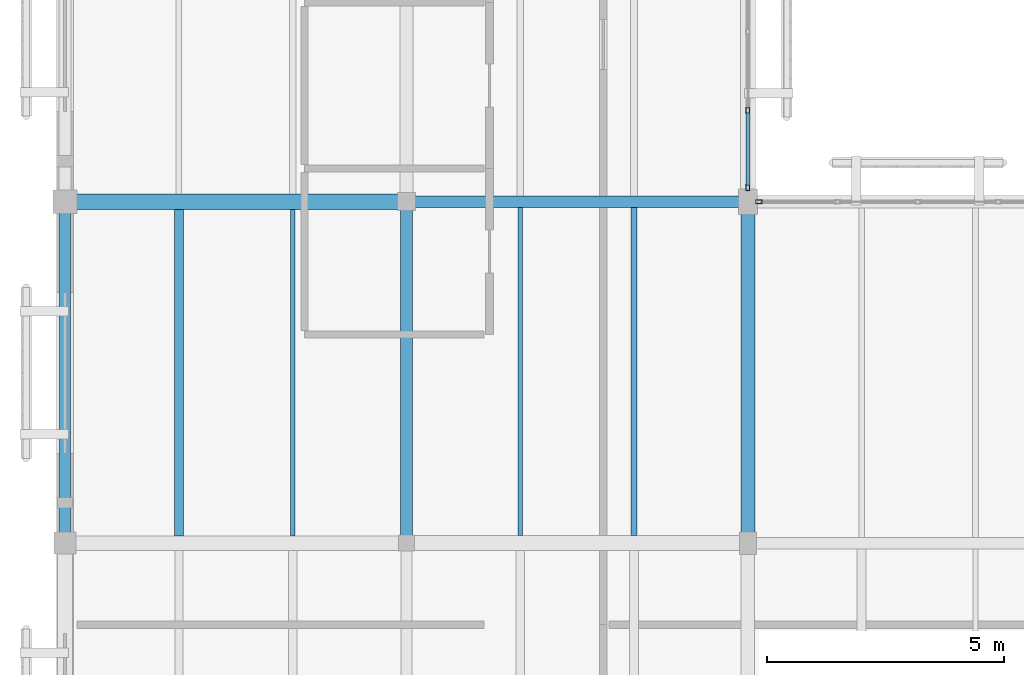
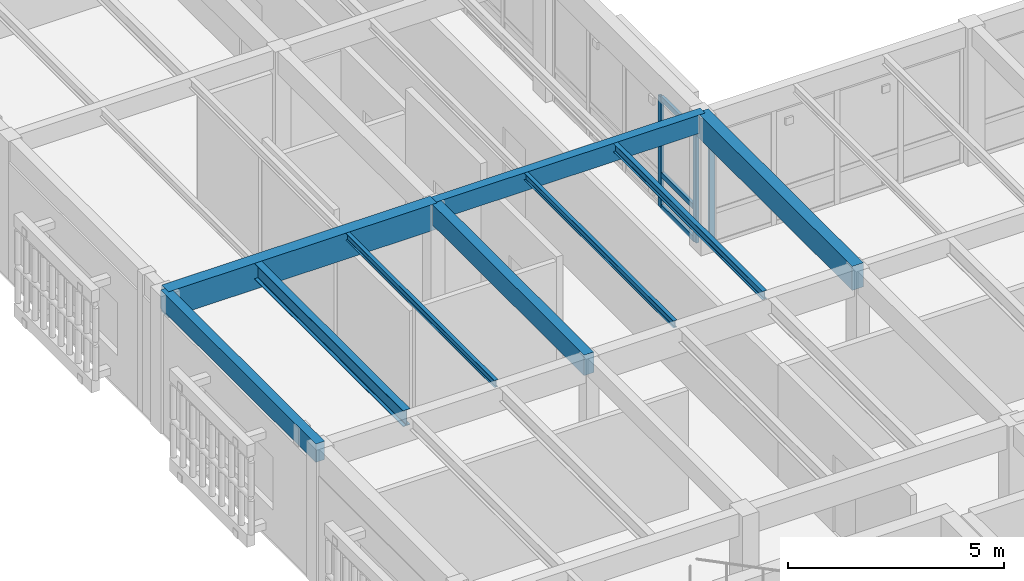
# One storey, part 24 of 217: 9 beams, 6 members, 2 elements without a shape of their own.
"""IFC4 building model written with IfcOpenShell, lengths in metres."""

from ifc_helpers import new_model, si_unit, direction, frame, origin, origin_2d, place, context, subcontext, project, spatial, rectangle, hollow_rectangle, i_section, extrude, material, layer, layer_set, material_profile, profile_set, type_object, element, aggregate, save


model = new_model("IFC4")

# Units and contexts
model_context = context("Model", 3, precision=1e-05, world=origin(), true_north=direction((0.0, 1.0)))
body_context = subcontext(model_context, "Body", "Model", "MODEL_VIEW")
ifc_project = project(units=[si_unit("LENGTHUNIT", "METRE"), si_unit("AREAUNIT", "SQUARE_METRE"), si_unit("VOLUMEUNIT", "CUBIC_METRE"), si_unit("PLANEANGLEUNIT", "RADIAN"), si_unit("MASSUNIT", "GRAM", prefix="KILO")], contexts=[model_context])

# Site, building, storey
site_placement = place(None, origin())
site = spatial("IfcSite", under=ifc_project, at=site_placement, CompositionType="ELEMENT")
building_placement = place(site_placement, origin())
building = spatial("IfcBuilding", under=site, at=building_placement, Name="Mazaris Harbour Polytechnic", CompositionType="ELEMENT")
storey_placement = place(building_placement, frame((0.0, 0.0, 9.60009765625)))
storey = spatial("IfcBuildingStorey", under=building, at=storey_placement, Name="L02", CompositionType="ELEMENT", Elevation=9.60009765625)

# Curtain wall, member
ifc_material_1 = material(Name="Anodised Bronze Aluminium and Low-E Glass", Category="aluminium")
ifc_layer = layer(ifc_material_1, 0.159912109375, Name="Anodised Bronze Aluminium and Low-E Glass")
ifc_layer_set = layer_set([ifc_layer], Name="Anodised Bronze Aluminium and Low-E Glass")
curtain_wall_type = type_object("IfcCurtainWallType", Name="Cloister Court Curtain Wall", PredefinedType="NOTDEFINED", material=ifc_layer_set)
curtain_wall_1_placement = place(storey_placement, origin())
curtain_wall_1 = element("IfcCurtainWall", 1, at=curtain_wall_1_placement, inside=storey, type_object=curtain_wall_type, Name="V4 L02 Curtain Wall 133", PredefinedType="NOTDEFINED")
ifc_material_2 = material(Name="Anodised Bronze Steel S355", Category="steel")
ifc_material_profile_1 = material_profile(ifc_material_2, hollow_rectangle(XDim=0.080078125, YDim=0.139892578125, WallThickness=0.00634765625, at=origin_2d()), Name="RHS 80x140x6.3")
ifc_profile_set_1 = profile_set([ifc_material_profile_1], Name="Anodised Bronze Steel S355")
member_type_1 = type_object("IfcMemberType", Name="Curtain Mullion RHS80x140", PredefinedType="MULLION", material=ifc_profile_set_1)
member_1_placement = place(storey_placement, frame((14.632080078125, 36.0, 0.0), z_axis=(0.0, 0.0, 1.0), x_axis=(0.0, 1.0, 0.0)))
member_1 = element("IfcMember", 2, at=member_1_placement, type_object=member_type_1, Name="CW-02 mullion 1", PredefinedType="MULLION", context=body_context, shape_type="SweptSolid", body=[
    extrude(hollow_rectangle(XDim=0.080078125, YDim=0.139892578125, WallThickness=0.00634765625, at=origin_2d()), origin(), (0.0, 0.0, 1.0), 3.2998046875),
])
aggregate(curtain_wall_1, [member_1])

# Curtain wall, members
curtain_wall_2_placement = place(storey_placement, origin())
curtain_wall_2 = element("IfcCurtainWall", 3, at=curtain_wall_2_placement, inside=storey, type_object=curtain_wall_type, Name="V4 L02 Curtain Wall 137", PredefinedType="NOTDEFINED")
member_2_placement = place(storey_placement, frame((14.39990234375, 36.302001953125, 0.0), z_axis=(0.0, 0.0, 1.0), x_axis=(-1.0, 0.0, 0.0)))
member_2 = element("IfcMember", 4, at=member_2_placement, type_object=member_type_1, Name="CW-02 mullion 1", PredefinedType="MULLION", context=body_context, shape_type="SweptSolid", body=[
    extrude(hollow_rectangle(XDim=0.080078125, YDim=0.139892578125, WallThickness=0.00634765625, at=origin_2d()), origin(), (0.0, 0.0, 1.0), 3.139892578125),
])
member_3_placement = place(storey_placement, frame((14.39990234375, 37.923583984375, 0.0), z_axis=(0.0, 0.0, 1.0), x_axis=(-1.0, 0.0, 0.0)))
member_3 = element("IfcMember", 5, at=member_3_placement, type_object=member_type_1, Name="CW-02 mullion 2", PredefinedType="MULLION", context=body_context, shape_type="SweptSolid", body=[
    extrude(hollow_rectangle(XDim=0.080078125, YDim=0.139892578125, WallThickness=0.00634765625, at=origin_2d()), origin(), (0.0, 0.0, 1.0), 3.139892578125),
])
ifc_material_3 = material(Name="Anodised Bronze Steel S355", Category="steel")
ifc_material_profile_2 = material_profile(ifc_material_3, hollow_rectangle(XDim=0.080078125, YDim=0.139892578125, WallThickness=0.00634765625, at=origin_2d()), Name="RHS 80x140x6.3")
ifc_profile_set_2 = profile_set([ifc_material_profile_2], Name="Anodised Bronze Steel S355")
member_type_2 = type_object("IfcMemberType", Name="Curtain Transom RHS80x140", PredefinedType="USERDEFINED", material=ifc_profile_set_2)
member_4_placement = place(storey_placement, frame((14.39990234375, 36.342041015625, 0.039794921875), z_axis=(0.0, 1.0, 0.0), x_axis=(-1.0, 0.0, 0.0)))
member_4 = element("IfcMember", 6, at=member_4_placement, type_object=member_type_2, Name="CW-02 transom 1.1", ObjectType="TRANSOM", PredefinedType="USERDEFINED", context=body_context, shape_type="SweptSolid", body=[
    extrude(hollow_rectangle(XDim=0.080078125, YDim=0.139892578125, WallThickness=0.00634765625, at=origin_2d()), origin(), (0.0, 0.0, 1.0), 1.54150390625),
])
member_5_placement = place(storey_placement, frame((14.39990234375, 36.342041015625, 0.949951171875), z_axis=(0.0, 1.0, 0.0), x_axis=(-1.0, 0.0, 0.0)))
member_5 = element("IfcMember", 7, at=member_5_placement, type_object=member_type_2, Name="CW-02 transom 1.2", ObjectType="TRANSOM", PredefinedType="USERDEFINED", context=body_context, shape_type="SweptSolid", body=[
    extrude(hollow_rectangle(XDim=0.080078125, YDim=0.139892578125, WallThickness=0.00634765625, at=origin_2d()), origin(), (0.0, 0.0, 1.0), 1.54150390625),
])
member_6_placement = place(storey_placement, frame((14.39990234375, 36.342041015625, 3.099853515625), z_axis=(0.0, 1.0, 0.0), x_axis=(-1.0, 0.0, 0.0)))
member_6 = element("IfcMember", 8, at=member_6_placement, type_object=member_type_2, Name="CW-02 transom 1.3", ObjectType="TRANSOM", PredefinedType="USERDEFINED", context=body_context, shape_type="SweptSolid", body=[
    extrude(hollow_rectangle(XDim=0.080078125, YDim=0.139892578125, WallThickness=0.00634765625, at=origin_2d()), origin(), (0.0, 0.0, 1.0), 1.54150390625),
])
aggregate(curtain_wall_2, [member_2, member_3, member_4, member_5, member_6])

# Beams
ifc_material_4 = material(Name="Glulam GL32h", Category="wood")
ifc_material_profile_3 = material_profile(ifc_material_4, rectangle(XDim=0.239990234375, YDim=0.52001953125, at=origin_2d()), Name="RECT240x520")
ifc_profile_set_3 = profile_set([ifc_material_profile_3], Name="Glulam GL32h")
beam_type_1 = type_object("IfcBeamType", Name="Glulam Girder 240x520", PredefinedType="BEAM", material=ifc_profile_set_3)
beam_1_placement = place(storey_placement, frame((7.199951171875, 36.0, 3.6298828125), z_axis=(1.0, 0.0, 0.0), x_axis=(0.0, 1.0, 0.0)))
element("IfcBeam", 9, at=beam_1_placement, inside=storey, type_object=beam_type_1, Name="V4 L02 Girder 1920", PredefinedType="BEAM", context=body_context, shape_type="SweptSolid", body=[
    extrude(rectangle(XDim=0.239990234375, YDim=0.52001953125, at=origin_2d()), origin(), (0.0, 0.0, 1.0), 7.199951171875),
])
ifc_material_5 = material(Name="Glulam GL32h", Category="wood")
ifc_material_profile_4 = material_profile(ifc_material_5, rectangle(XDim=0.239990234375, YDim=0.52001953125, at=origin_2d()), Name="RECT240x520")
ifc_profile_set_4 = profile_set([ifc_material_profile_4], Name="Glulam GL32h")
beam_type_2 = type_object("IfcBeamType", Name="Glulam Girder 240x520 Exterior", PredefinedType="BEAM", material=ifc_profile_set_4)
beam_2_placement = place(storey_placement, frame((0.0, 28.800048828125, 3.6298828125), z_axis=(0.0, 1.0, 0.0), x_axis=(-1.0, 0.0, 0.0)))
element("IfcBeam", 10, at=beam_2_placement, inside=storey, type_object=beam_type_2, Name="V4 L02 Tie Girder 1970", PredefinedType="BEAM", context=body_context, shape_type="SweptSolid", body=[
    extrude(rectangle(XDim=0.239990234375, YDim=0.52001953125, at=origin_2d()), origin(), (0.0, 0.0, 1.0), 7.199951171875),
])
ifc_material_6 = material(Name="Glulam GL32h", Category="wood")
ifc_material_profile_5 = material_profile(ifc_material_6, rectangle(XDim=0.260009765625, YDim=0.580078125, at=origin_2d()), Name="RECT260x580")
ifc_profile_set_5 = profile_set([ifc_material_profile_5], Name="Glulam GL32h")
beam_type_3 = type_object("IfcBeamType", Name="Glulam Girder 260x580", PredefinedType="BEAM", material=ifc_profile_set_5)
beam_3_placement = place(storey_placement, frame((7.199951171875, 28.800048828125, 3.599853515625), z_axis=(0.0, 1.0, 0.0), x_axis=(-1.0, 0.0, 0.0)))
element("IfcBeam", 11, at=beam_3_placement, inside=storey, type_object=beam_type_3, Name="V4 L02 Tie Girder 1981", PredefinedType="BEAM", context=body_context, shape_type="SweptSolid", body=[
    extrude(rectangle(XDim=0.260009765625, YDim=0.580078125, at=origin_2d()), origin(), (0.0, 0.0, 1.0), 7.199951171875),
])
ifc_material_7 = material(Name="Glulam GL32h", Category="wood")
ifc_material_profile_6 = material_profile(ifc_material_7, rectangle(XDim=0.300048828125, YDim=0.679931640625, at=origin_2d()), Name="RECT300x680")
ifc_profile_set_6 = profile_set([ifc_material_profile_6], Name="Glulam GL32h")
beam_type_4 = type_object("IfcBeamType", Name="Glulam Girder 300x680", PredefinedType="BEAM", material=ifc_profile_set_6)
beam_4_placement = place(storey_placement, frame((14.39990234375, 28.800048828125, 3.5498046875), z_axis=(0.0, 1.0, 0.0), x_axis=(-1.0, 0.0, 0.0)))
element("IfcBeam", 12, at=beam_4_placement, inside=storey, type_object=beam_type_4, Name="V4 L02 Tie Girder 1993", PredefinedType="BEAM", context=body_context, shape_type="SweptSolid", body=[
    extrude(rectangle(XDim=0.300048828125, YDim=0.679931640625, at=origin_2d()), origin(), (0.0, 0.0, 1.0), 7.199951171875),
])
ifc_material_8 = material(Name="Glulam GL32h", Category="wood")
ifc_material_profile_7 = material_profile(ifc_material_8, rectangle(XDim=0.320068359375, YDim=0.739990234375, at=origin_2d()), Name="RECT320x740")
ifc_profile_set_7 = profile_set([ifc_material_profile_7], Name="Glulam GL32h")
beam_type_5 = type_object("IfcBeamType", Name="Glulam Girder 320x740", PredefinedType="BEAM", material=ifc_profile_set_7)
beam_5_placement = place(storey_placement, frame((0.0, 36.0, 3.52001953125), z_axis=(1.0, 0.0, 0.0), x_axis=(0.0, 1.0, 0.0)))
element("IfcBeam", 13, at=beam_5_placement, inside=storey, type_object=beam_type_5, Name="V4 L02 Girder 1919", PredefinedType="BEAM", context=body_context, shape_type="SweptSolid", body=[
    extrude(rectangle(XDim=0.320068359375, YDim=0.739990234375, at=origin_2d()), origin(), (0.0, 0.0, 1.0), 7.199951171875),
])
ifc_material_9 = material(Name="Steel S355", Category="steel")
ifc_material_profile_8 = material_profile(ifc_material_9, i_section(OverallWidth=0.10009765625, OverallDepth=0.199951171875, WebThickness=0.005615234375, FlangeThickness=0.008544921875, FilletRadius=0.011962890625, at=origin_2d()), Name="IPE 200")
ifc_profile_set_8 = profile_set([ifc_material_profile_8], Name="Steel S355")
beam_type_6 = type_object("IfcBeamType", Name="Steel Joist IPE200", PredefinedType="JOIST", material=ifc_profile_set_8)
beam_6_placement = place(storey_placement, frame((4.800048828125, 28.949951171875, 3.789794921875), z_axis=(0.0, 1.0, 0.0), x_axis=(-1.0, 0.0, 0.0)))
element("IfcBeam", 14, at=beam_6_placement, inside=storey, type_object=beam_type_6, Name="V4 L02 Floor Joist 2051", PredefinedType="JOIST", context=body_context, shape_type="SweptSolid", body=[
    extrude(i_section(OverallWidth=0.10009765625, OverallDepth=0.199951171875, WebThickness=0.005615234375, FlangeThickness=0.008544921875, FilletRadius=0.011962890625, at=origin_2d()), origin(), (0.0, 0.0, 1.0), 6.89013671875),
])
beam_7_placement = place(storey_placement, frame((9.60009765625, 28.9599609375, 3.789794921875), z_axis=(0.0, 1.0, 0.0), x_axis=(-1.0, 0.0, 0.0)))
element("IfcBeam", 15, at=beam_7_placement, inside=storey, type_object=beam_type_6, Name="V4 L02 Floor Joist 2072", PredefinedType="JOIST", context=body_context, shape_type="SweptSolid", body=[
    extrude(i_section(OverallWidth=0.10009765625, OverallDepth=0.199951171875, WebThickness=0.005615234375, FlangeThickness=0.008544921875, FilletRadius=0.011962890625, at=origin_2d()), origin(), (0.0, 0.0, 1.0), 6.919921875),
])
ifc_material_10 = material(Name="Steel S355", Category="steel")
ifc_material_profile_9 = material_profile(ifc_material_10, i_section(OverallWidth=0.1201171875, OverallDepth=0.239990234375, WebThickness=0.006103515625, FlangeThickness=0.009765625, FilletRadius=0.014892578125, at=origin_2d()), Name="IPE 240")
ifc_profile_set_9 = profile_set([ifc_material_profile_9], Name="Steel S355")
beam_type_7 = type_object("IfcBeamType", Name="Steel Joist IPE240", PredefinedType="JOIST", material=ifc_profile_set_9)
beam_8_placement = place(storey_placement, frame((12.0, 28.9599609375, 3.77001953125), z_axis=(0.0, 1.0, 0.0), x_axis=(-1.0, 0.0, 0.0)))
element("IfcBeam", 16, at=beam_8_placement, inside=storey, type_object=beam_type_7, Name="V4 L02 Floor Joist 2073", PredefinedType="JOIST", context=body_context, shape_type="SweptSolid", body=[
    extrude(i_section(OverallWidth=0.1201171875, OverallDepth=0.239990234375, WebThickness=0.006103515625, FlangeThickness=0.009765625, FilletRadius=0.014892578125, at=origin_2d()), origin(), (0.0, 0.0, 1.0), 6.919921875),
])
ifc_material_11 = material(Name="Steel S355", Category="steel")
ifc_material_profile_10 = material_profile(ifc_material_11, i_section(OverallWidth=0.18994140625, OverallDepth=0.449951171875, WebThickness=0.009521484375, FlangeThickness=0.0146484375, FilletRadius=0.02099609375, at=origin_2d()), Name="IPE 450")
ifc_profile_set_10 = profile_set([ifc_material_profile_10], Name="Steel S355")
beam_type_8 = type_object("IfcBeamType", Name="Steel Joist IPE450", PredefinedType="JOIST", material=ifc_profile_set_10)
beam_9_placement = place(storey_placement, frame((2.39990234375, 28.949951171875, 3.664794921875), z_axis=(0.0, 1.0, 0.0), x_axis=(-1.0, 0.0, 0.0)))
element("IfcBeam", 17, at=beam_9_placement, inside=storey, type_object=beam_type_8, Name="V4 L02 Floor Joist 2050", PredefinedType="JOIST", context=body_context, shape_type="SweptSolid", body=[
    extrude(i_section(OverallWidth=0.18994140625, OverallDepth=0.449951171875, WebThickness=0.009521484375, FlangeThickness=0.0146484375, FilletRadius=0.02099609375, at=origin_2d()), origin(), (0.0, 0.0, 1.0), 6.89013671875),
])

save(model, "model.ifc")
